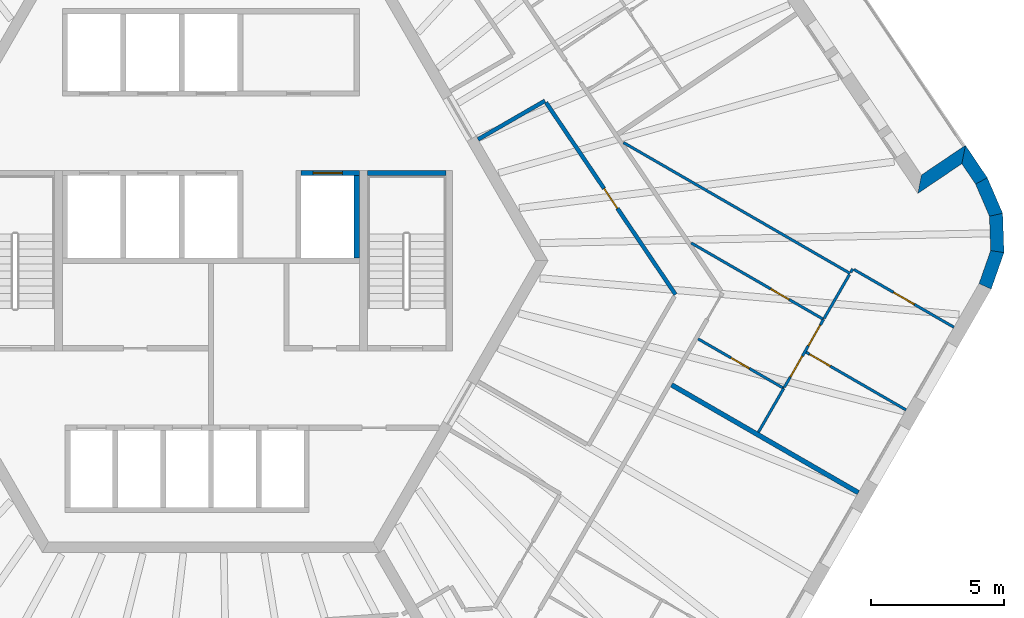
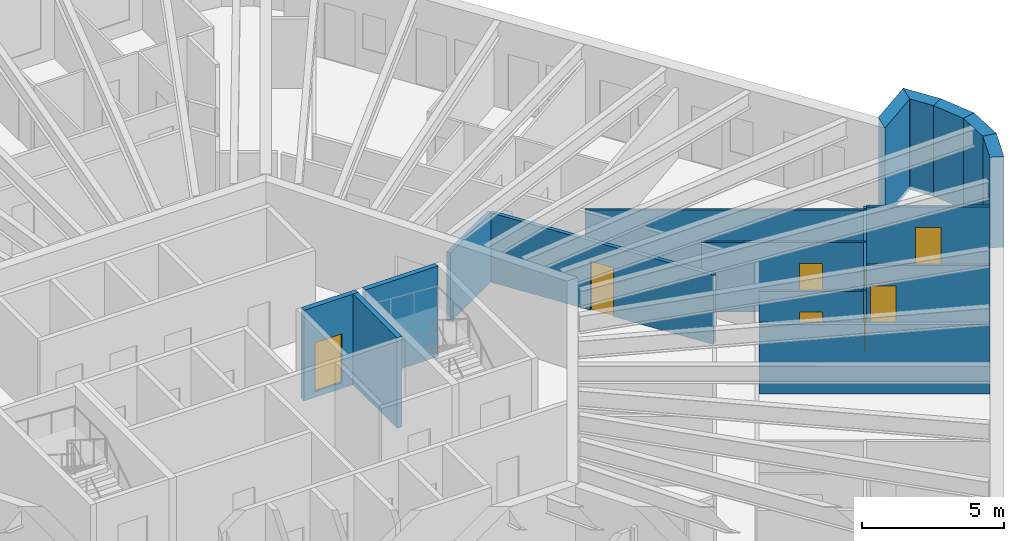
# One storey, part 7 of 12: 20 walls, 8 doors, 8 openings.
"""IFC4 building model written with IfcOpenShell, lengths in metres."""

import ifcopenshell
import ifcopenshell.guid

model = None  # the IFC model being written
_history = None  # IfcOwnerHistory: only IFC2X3 demands one
_inside = {}  # id of a spatial element -> (the spatial element, [elements in it])
_under = {}  # id of a project, library or spatial element -> (it, [spatial elements below it])
_declared = {}  # id of a project -> (the project, [libraries it declares])
_typed = {}  # id of a type object -> (the type object, [elements of that type])
_made_of = {}  # id of a material, layer set ... -> (it, [elements and type objects made of it])


def new_model(schema):
    """Start an empty IFC model of exactly this schema.

    Asked for "IFC4X3", IfcOpenShell would pick the latest addendum, in which some entities
    have other attributes; the version numbers below select the first issue.
    IFC2X3 requires an IfcOwnerHistory on every rooted entity: one is made here for all.
    """
    global model, _history
    if schema == "IFC4X3":
        model = ifcopenshell.file(schema_version=(4, 3, 0, 0))
    else:
        model = ifcopenshell.file(schema=schema)
    _inside.clear()
    _under.clear()
    _declared.clear()
    _typed.clear()
    _made_of.clear()
    _history = None
    if model.schema == "IFC2X3":
        org = make("IfcOrganization", Name="unknown")
        user = make(
            "IfcPersonAndOrganization",
            ThePerson=make("IfcPerson", FamilyName="unknown"),
            TheOrganization=org,
        )
        app = make(
            "IfcApplication",
            ApplicationDeveloper=org,
            Version="unknown",
            ApplicationFullName="unknown",
            ApplicationIdentifier="unknown",
        )
        _history = make(
            "IfcOwnerHistory",
            OwningUser=user,
            OwningApplication=app,
            ChangeAction="ADDED",
            CreationDate=0,
        )
    return model


def make(cls, **values):
    """One entity of the class cls with the attributes given. An attribute that is None is left unset."""
    return model.create_entity(
        cls, **{name: value for name, value in values.items() if value is not None}
    )


def rooted(cls, **values):
    """An entity with a GlobalId (a new one), such as an element, a storey or a relation."""
    return make(cls, GlobalId=ifcopenshell.guid.new(), OwnerHistory=_history, **values)


def si_unit(unit_type, name, prefix=None):
    """IfcSIUnit, for example si_unit("LENGTHUNIT", "METRE", prefix="MILLI")."""
    return make("IfcSIUnit", UnitType=unit_type, Prefix=prefix, Name=name)


def assignment(units):
    """IfcUnitAssignment: the units of a project."""
    return None if units is None else make("IfcUnitAssignment", Units=units)


def point(xyz):
    """IfcCartesianPoint."""
    return None if xyz is None else make("IfcCartesianPoint", Coordinates=xyz)


def direction(xyz):
    """IfcDirection."""
    return None if xyz is None else make("IfcDirection", DirectionRatios=xyz)


def frame(location, z_axis=None, x_axis=None):
    """IfcAxis2Placement3D, a coordinate frame: its origin and axes. An axis left out is left unset."""
    return make(
        "IfcAxis2Placement3D",
        Location=point(location),
        Axis=direction(z_axis),
        RefDirection=direction(x_axis),
    )


def frame_2d(location, x_axis=None):
    """IfcAxis2Placement2D, a coordinate frame in the plane: its origin and x axis."""
    return make(
        "IfcAxis2Placement2D", Location=point(location), RefDirection=direction(x_axis)
    )


def origin():
    """The frame at (0, 0, 0) with its axes left unset."""
    return frame((0.0, 0.0, 0.0))


def place(relative_to, where):
    """IfcLocalPlacement: puts the frame where relative to a parent placement (None: the world)."""
    return make(
        "IfcLocalPlacement", PlacementRelTo=relative_to, RelativePlacement=where
    )


def context(
    kind, dimensions, precision=None, world=None, true_north=None, identifier=None
):
    """IfcGeometricRepresentationContext, for example the 3D "Model" context."""
    return make(
        "IfcGeometricRepresentationContext",
        ContextIdentifier=identifier,
        ContextType=kind,
        CoordinateSpaceDimension=dimensions,
        Precision=precision,
        WorldCoordinateSystem=world,
        TrueNorth=true_north,
    )


def subcontext(parent, identifier, kind, view, scale=None):
    """IfcGeometricRepresentationSubContext, for example "Body" below "Model"."""
    return make(
        "IfcGeometricRepresentationSubContext",
        ContextIdentifier=identifier,
        ContextType=kind,
        ParentContext=parent,
        TargetScale=scale,
        TargetView=view,
    )


def project(units=None, contexts=None):
    """IfcProject with its units and contexts."""
    return rooted(
        "IfcProject",
        Name="project",
        RepresentationContexts=contexts,
        UnitsInContext=assignment(units),
    )


def spatial(cls, under=None, at=None, **own):
    """A site, building, storey or space (cls), placed at a placement, below another one or the project."""
    s = rooted(cls, ObjectPlacement=at, **own)
    if under is not None:
        _under.setdefault(under.id(), (under, []))[1].append(s)
    return s


def polyline(points):
    """IfcPolyline through the points."""
    return make("IfcPolyline", Points=[point(p) for p in points])


def profile(cls, at=None, kind="AREA", **sizes):
    """A parametric profile (cls). Its sizes go by their IFC names, for example OverallWidth=200.0."""
    return make(cls, ProfileType=kind, Position=at, **sizes)


def rectangle(**sizes):
    """IfcRectangleProfileDef."""
    return profile("IfcRectangleProfileDef", **sizes)


def outline(outer, holes=None, kind="AREA"):
    """IfcArbitraryClosedProfileDef: a profile drawn as a closed curve; with holes, ...WithVoids."""
    if holes is None:
        return make("IfcArbitraryClosedProfileDef", ProfileType=kind, OuterCurve=outer)
    return make(
        "IfcArbitraryProfileDefWithVoids",
        ProfileType=kind,
        OuterCurve=outer,
        InnerCurves=holes,
    )


def extrude(swept, where, along, depth):
    """IfcExtrudedAreaSolid: the profile swept, set in the frame where, extruded along a direction by depth."""
    return make(
        "IfcExtrudedAreaSolid",
        SweptArea=swept,
        Position=where,
        ExtrudedDirection=direction(along),
        Depth=depth,
    )


def shape(context_of_items, identifier, shape_type, items):
    """IfcShapeRepresentation: the items that make up one representation, for example the "Body"."""
    return make(
        "IfcShapeRepresentation",
        ContextOfItems=context_of_items,
        RepresentationIdentifier=identifier,
        RepresentationType=shape_type,
        Items=items,
    )


def material(Name=None, Category=None):
    """IfcMaterial."""
    return make("IfcMaterial", Name=Name, Category=Category)


def layer(
    of_material, thickness, ventilated=None, Name=None, Category=None, Priority=None
):
    """IfcMaterialLayer: one layer of a wall or slab, of a material (None: an air gap)."""
    return make(
        "IfcMaterialLayer",
        Material=of_material,
        LayerThickness=thickness,
        IsVentilated=ventilated,
        Name=Name,
        Category=Category,
        Priority=Priority,
    )


def layer_set(layers, Name=None):
    """IfcMaterialLayerSet."""
    return make("IfcMaterialLayerSet", MaterialLayers=layers, LayerSetName=Name)


def made_of(thing, what):
    """Note that an element or type object is made of a material, layer set ...; save() writes the relation."""
    if what is not None:
        _made_of.setdefault(what.id(), (what, []))[1].append(thing)
    return thing


def type_object(cls, material=None, **own):
    """A type object (cls), such as IfcWallType, which elements share."""
    return made_of(rooted(cls, **own), material)


def element(
    cls,
    number,
    at=None,
    inside=None,
    cuts=None,
    type_object=None,
    material=None,
    context=None,
    identifier="Body",
    shape_type=None,
    held_by="IfcProductDefinitionShape",
    body=None,
    shapes=None,
    **own,
):
    """One element of the class cls, such as IfcWall. Its Tag is "e" and its number.

    at: its placement. inside: the storey or other place that contains it. cuts: it is an
    opening in that element (IfcRelVoidsElement). A single representation is given by context,
    identifier, shape_type and body (its items); several are given by shapes. held_by: the class
    of the entity that holds the representations. save() writes the other relations.
    """
    e = rooted(cls, Tag="e%d" % number, ObjectPlacement=at, **own)
    if body is not None:
        shapes = [shape(context, identifier, shape_type, body)]
    if shapes is not None:
        e.Representation = make(held_by, Representations=shapes)
    if inside is not None:
        _inside.setdefault(inside.id(), (inside, []))[1].append(e)
    if cuts is not None:
        rooted(
            "IfcRelVoidsElement", RelatingBuildingElement=cuts, RelatedOpeningElement=e
        )
    if type_object is not None:
        _typed.setdefault(type_object.id(), (type_object, []))[1].append(e)
    return made_of(e, material)


def fill(opening, filler):
    """IfcRelFillsElement: the door or window that sits in an opening."""
    return rooted(
        "IfcRelFillsElement",
        RelatingOpeningElement=opening,
        RelatedBuildingElement=filler,
    )


def aggregate(whole, parts):
    """IfcRelAggregates: a whole, such as a stair, and the parts it consists of."""
    return rooted("IfcRelAggregates", RelatingObject=whole, RelatedObjects=parts)


def save(model, path):
    """Write the relations noted so far, then the file.

    IfcRelAggregates (storeys below a building ...), IfcRelContainedInSpatialStructure (elements
    in a storey), IfcRelDefinesByType, IfcRelAssociatesMaterial and IfcRelDeclares: one each for
    every whole, place, type object, material and project.
    """
    for whole, parts in _under.values():
        aggregate(whole, parts)
    for where, things in _inside.values():
        rooted(
            "IfcRelContainedInSpatialStructure",
            RelatedElements=things,
            RelatingStructure=where,
        )
    for kind, things in _typed.values():
        rooted("IfcRelDefinesByType", RelatedObjects=things, RelatingType=kind)
    for what, things in _made_of.values():
        rooted("IfcRelAssociatesMaterial", RelatedObjects=things, RelatingMaterial=what)
    for by, libraries in _declared.values():
        rooted("IfcRelDeclares", RelatingContext=by, RelatedDefinitions=libraries)
    model.write(path)


model = new_model("IFC4")

# Units and contexts
model_context = context("Model", 3, precision=1e-05, world=origin(), true_north=direction((0.0, 1.0)))
body_context = subcontext(model_context, "Body", "Model", "MODEL_VIEW")
ifc_project = project(units=[si_unit("LENGTHUNIT", "METRE"), si_unit("AREAUNIT", "SQUARE_METRE"), si_unit("VOLUMEUNIT", "CUBIC_METRE"), si_unit("PLANEANGLEUNIT", "RADIAN"), si_unit("MASSUNIT", "GRAM", prefix="KILO")], contexts=[model_context])

# Site, building, storey
site_placement = place(None, origin())
site = spatial("IfcSite", under=ifc_project, at=site_placement, CompositionType="ELEMENT")
building_placement = place(site_placement, origin())
building = spatial("IfcBuilding", under=site, at=building_placement, Name="Tarnside Tower", CompositionType="ELEMENT")
storey_placement = place(building_placement, frame((0.0, 0.0, 283.5)))
storey = spatial("IfcBuildingStorey", under=building, at=storey_placement, Name="L68", CompositionType="ELEMENT", Elevation=283.5)

# Wall
ifc_material_1 = material(Name="Gypsum board partition on steel studs", Category="steel")
ifc_layer_1 = layer(ifc_material_1, 0.10009765625)
ifc_layer_set_1 = layer_set([ifc_layer_1], Name="Bathroom wall 100")
wall_type_1 = type_object("IfcWallType", Name="Bathroom wall 100", PredefinedType="PARTITIONING", material=ifc_layer_set_1)
wall_1_placement = place(storey_placement, frame((15.54541015625, 4.447998046875, 0.0), z_axis=(0.0, 0.0, 1.0), x_axis=(0.866022320763, -0.500005339912, 0.0)))
element("IfcWall", 1, at=wall_1_placement, inside=storey, type_object=wall_type_1, Name="Bathroom wall 22157", PredefinedType="PARTITIONING", context=body_context, shape_type="SweptSolid", body=[
    extrude(rectangle(XDim=9.861328125, YDim=0.10009765625, at=frame_2d((4.9306640625, 0.0))), origin(), (0.0, 0.0, 1.0), 2.98779296875),
])

# Wall, opening, door
wall_2_placement = place(storey_placement, frame((18.359619140625, -2.9501953125, 0.0), z_axis=(0.0, 0.0, 1.0), x_axis=(0.866012039196, -0.500023147432, 0.0)))
wall_2 = element("IfcWall", 2, at=wall_2_placement, inside=storey, type_object=wall_type_1, Name="Bathroom wall 22160", PredefinedType="PARTITIONING", context=body_context, shape_type="SweptSolid", body=[
    extrude(rectangle(XDim=3.724853515625, YDim=0.10009765625, at=frame_2d((1.8623046875, 0.0))), origin(), (0.0, 0.0, 1.0), 2.98779296875),
])
opening_1_placement = place(wall_2_placement, frame((1.425048828125, 0.0, 0.0)))
opening_1 = element("IfcOpeningElement", 3, at=opening_1_placement, cuts=wall_2, Name="Opening D-B1", PredefinedType="OPENING", context=body_context, shape_type="SweptSolid", body=[
    extrude(rectangle(XDim=0.800048828125, YDim=2.10009765625, at=frame_2d((0.39990234375, 1.050048828125))), frame((0.0, 0.06005859375, 0.0), z_axis=(0.0, -1.0, 0.0), x_axis=(1.0, 0.0, 0.0)), (0.0, 0.0, 1.0), 0.1201171875),
])
ifc_material_2 = material(Name="Timber door leaf", Category="wood")
door_type_1 = type_object("IfcDoorType", Name="Bathroom door 800", OperationType="NOTDEFINED", PredefinedType="DOOR", material=ifc_material_2)
door_1_placement = place(opening_1_placement, origin())
door_1 = element("IfcDoor", 4, at=door_1_placement, inside=storey, type_object=door_type_1, Name="Bathroom door 22066", OperationType="SINGLE_SWING_RIGHT", OverallHeight=2.10009765625, OverallWidth=0.800048828125, PredefinedType="DOOR", context=body_context, shape_type="SweptSolid", body=[
    extrude(rectangle(XDim=0.800048828125, YDim=2.10009765625, at=frame_2d((0.39990234375, 1.050048828125))), frame((0.0, 0.02490234375, 0.0), z_axis=(0.0, -1.0, 0.0), x_axis=(1.0, 0.0, 0.0)), (0.0, 0.0, 1.0), 0.050048828125),
])
fill(opening_1, door_1)

wall_3_placement = place(storey_placement, frame((23.08544921875, -2.214599609375, 0.0), z_axis=(0.0, 0.0, 1.0), x_axis=(-0.866017611601, 0.500013496215, 0.0)))
wall_3 = element("IfcWall", 5, at=wall_3_placement, inside=storey, type_object=wall_type_1, Name="Bathroom wall 22163", PredefinedType="PARTITIONING", context=body_context, shape_type="SweptSolid", body=[
    extrude(rectangle(XDim=5.760498046875, YDim=0.10009765625, at=frame_2d((2.88037109375, 0.0))), origin(), (0.0, 0.0, 1.0), 2.98779296875),
])
opening_2_placement = place(wall_3_placement, frame((1.5, 0.0, 0.0)))
opening_2 = element("IfcOpeningElement", 6, at=opening_2_placement, cuts=wall_3, Name="Opening D-B1", PredefinedType="OPENING", context=body_context, shape_type="SweptSolid", body=[
    extrude(rectangle(XDim=0.800048828125, YDim=2.10009765625, at=frame_2d((0.39990234375, 1.050048828125))), frame((0.0, 0.06005859375, 0.0), z_axis=(0.0, -1.0, 0.0), x_axis=(1.0, 0.0, 0.0)), (0.0, 0.0, 1.0), 0.1201171875),
])
door_2_placement = place(opening_2_placement, origin())
door_2 = element("IfcDoor", 7, at=door_2_placement, inside=storey, type_object=door_type_1, Name="Bathroom door 22073", OperationType="SINGLE_SWING_RIGHT", OverallHeight=2.10009765625, OverallWidth=0.800048828125, PredefinedType="DOOR", context=body_context, shape_type="SweptSolid", body=[
    extrude(rectangle(XDim=0.800048828125, YDim=2.10009765625, at=frame_2d((0.39990234375, 1.050048828125))), frame((0.0, 0.02490234375, 0.0), z_axis=(0.0, -1.0, 0.0), x_axis=(1.0, 0.0, 0.0)), (0.0, 0.0, 1.0), 0.050048828125),
])
fill(opening_2, door_2)

# Walls
wall_4_placement = place(storey_placement, frame((20.630615234375, -6.466796875, 0.0), z_axis=(0.0, 0.0, 1.0), x_axis=(0.49994353734, 0.866058000062, 0.0)))
element("IfcWall", 8, at=wall_4_placement, inside=storey, type_object=wall_type_1, Name="Bathroom wall 22164", PredefinedType="PARTITIONING", context=body_context, shape_type="SweptSolid", body=[
    extrude(rectangle(XDim=1.911865234375, YDim=0.10009765625, at=frame_2d((0.9560546875, 0.0))), origin(), (0.0, 0.0, 1.0), 2.98779296875),
])
wall_5_placement = place(storey_placement, frame((24.060546875, -0.52587890625, 0.0), z_axis=(0.0, 0.0, 1.0), x_axis=(-0.499967155389, -0.866044365799, 0.0)))
element("IfcWall", 9, at=wall_5_placement, inside=storey, type_object=wall_type_1, Name="Bathroom wall 22166", PredefinedType="PARTITIONING", context=body_context, shape_type="SweptSolid", body=[
    extrude(rectangle(XDim=1.900146484375, YDim=0.10009765625, at=frame_2d((0.9501953125, 0.0))), origin(), (0.0, 0.0, 1.0), 2.98779296875),
])
ifc_layer_2 = layer(ifc_material_1, 0.14990234375)
ifc_layer_set_2 = layer_set([ifc_layer_2], Name="Corridor wall 150 EI 60")
wall_type_2 = type_object("IfcWallType", Name="Corridor wall 150 EI 60", PredefinedType="PARTITIONING", material=ifc_layer_set_2)
wall_6_placement = place(storey_placement, frame((10.065673828125, 4.565673828125, 0.0), z_axis=(0.0, 0.0, 1.0), x_axis=(0.866034661658, 0.49998396455, 0.0)))
element("IfcWall", 10, at=wall_6_placement, inside=storey, type_object=wall_type_2, Name="Corridor wall 22072", PredefinedType="PARTITIONING", context=body_context, shape_type="SweptSolid", body=[
    extrude(rectangle(XDim=2.9091796875, YDim=0.14990234375, at=frame_2d((1.45458984375, 0.0))), origin(), (0.0, 0.0, 1.0), 2.98779296875),
])

# Wall, opening, door
wall_7_placement = place(storey_placement, frame((12.627197265625, 5.9580078125, 0.0), z_axis=(0.0, 0.0, 1.0), x_axis=(0.559185493191, -0.829042570804, 0.0)))
wall_7 = element("IfcWall", 11, at=wall_7_placement, inside=storey, type_object=wall_type_2, Name="Corridor wall 22073", PredefinedType="PARTITIONING", context=body_context, shape_type="SweptSolid", body=[
    extrude(rectangle(XDim=8.726806640625, YDim=0.14990234375, at=frame_2d((4.36328125, 0.0))), origin(), (0.0, 0.0, 1.0), 2.98779296875),
])
opening_3_placement = place(wall_7_placement, frame((3.913330078125, 0.0, 0.0)))
opening_3 = element("IfcOpeningElement", 12, at=opening_3_placement, cuts=wall_7, Name="Opening D-S1", PredefinedType="OPENING", context=body_context, shape_type="SweptSolid", body=[
    extrude(rectangle(XDim=0.89990234375, YDim=2.10009765625, at=frame_2d((0.449951171875, 1.050048828125))), frame((0.0, 0.0849609375, 0.0), z_axis=(0.0, -1.0, 0.0), x_axis=(1.0, 0.0, 0.0)), (0.0, 0.0, 1.0), 0.169921875),
])
door_type_2 = type_object("IfcDoorType", Name="Service room door 900 FD30S", OperationType="NOTDEFINED", PredefinedType="DOOR", material=ifc_material_2)
door_3_placement = place(opening_3_placement, origin())
door_3 = element("IfcDoor", 13, at=door_3_placement, inside=storey, type_object=door_type_2, Name="Service door 22090", OperationType="SINGLE_SWING_RIGHT", OverallHeight=2.10009765625, OverallWidth=0.89990234375, PredefinedType="DOOR", context=body_context, shape_type="SweptSolid", body=[
    extrude(rectangle(XDim=0.89990234375, YDim=2.10009765625, at=frame_2d((0.449951171875, 1.050048828125))), frame((0.0, 0.02490234375, 0.0), z_axis=(0.0, -1.0, 0.0), x_axis=(1.0, 0.0, 0.0)), (0.0, 0.0, 1.0), 0.050048828125),
])
fill(opening_3, door_3)

# Wall
ifc_layer_3 = layer(ifc_material_1, 0.179931640625)
ifc_layer_set_3 = layer_set([ifc_layer_3], Name="Demising wall 180 EI 60")
wall_type_3 = type_object("IfcWallType", Name="Demising wall 180 EI 60", PredefinedType="PARTITIONING", material=ifc_layer_set_3)
wall_8_placement = place(storey_placement, frame((24.39599609375, -8.744873046875, 0.0), z_axis=(0.0, 0.0, 1.0), x_axis=(-0.866022959057, 0.500004234368, 0.0)))
element("IfcWall", 14, at=wall_8_placement, inside=storey, type_object=wall_type_3, Name="Demising wall 22148", PredefinedType="PARTITIONING", context=body_context, shape_type="SweptSolid", body=[
    extrude(rectangle(XDim=8.125, YDim=0.179931640625, at=frame_2d((4.0625, 0.0))), origin(), (0.0, 0.0, 1.0), 2.98779296875),
])

# Wall, opening, door
ifc_material_3 = material(Name="Concrete C40/50", Category="concrete")
ifc_layer_4 = layer(ifc_material_3, 0.199951171875)
ifc_layer_set_4 = layer_set([ifc_layer_4], Name="Lift shaft wall 200 C40/50")
wall_type_4 = type_object("IfcWallType", Name="Lift shaft wall 200 C40/50", PredefinedType="SHEAR", material=ifc_layer_set_4)
wall_9_placement = place(storey_placement, frame((3.39990234375, 3.300048828125, -0.25), z_axis=(0.0, 0.0, 1.0), x_axis=(1.0, 0.0, 0.0)))
wall_9 = element("IfcWall", 15, at=wall_9_placement, inside=storey, type_object=wall_type_4, Name="L68 lift shaft front wall R2 2", PredefinedType="SHEAR", context=body_context, shape_type="SweptSolid", body=[
    extrude(rectangle(XDim=2.2001953125, YDim=0.199951171875, at=frame_2d((1.10009765625, 0.0))), origin(), (0.0, 0.0, 1.0), 3.89990234375),
])
opening_4_placement = place(wall_9_placement, frame((0.449951171875, 0.0, 0.25)))
opening_4 = element("IfcOpeningElement", 16, at=opening_4_placement, cuts=wall_9, Name="Opening LD", PredefinedType="OPENING", context=body_context, shape_type="SweptSolid", body=[
    extrude(rectangle(XDim=1.10009765625, YDim=2.10009765625, at=frame_2d((0.550048828125, 1.050048828125))), frame((0.0, 0.10986328125, 0.0), z_axis=(0.0, -1.0, 0.0), x_axis=(1.0, 0.0, 0.0)), (0.0, 0.0, 1.0), 0.219970703125),
])
ifc_material_4 = material(Name="Stainless steel", Category="steel")
door_type_3 = type_object("IfcDoorType", Name="Lift landing door 1100x2100", OperationType="NOTDEFINED", PredefinedType="DOOR", material=ifc_material_4)
door_4_placement = place(opening_4_placement, origin())
door_4 = element("IfcDoor", 17, at=door_4_placement, inside=storey, type_object=door_type_3, Name="Express sky-lobby shuttle 2 landing door L68", OperationType="SLIDING_TO_LEFT", OverallHeight=2.10009765625, OverallWidth=1.10009765625, PredefinedType="DOOR", context=body_context, shape_type="SweptSolid", body=[
    extrude(rectangle(XDim=1.10009765625, YDim=2.10009765625, at=frame_2d((0.550048828125, 1.050048828125))), frame((0.0, 0.02490234375, 0.0), z_axis=(0.0, -1.0, 0.0), x_axis=(1.0, 0.0, 0.0)), (0.0, 0.0, 1.0), 0.050048828125),
])
fill(opening_4, door_4)

# Walls
wall_10_placement = place(storey_placement, frame((5.5, 0.10009765625, -0.25), z_axis=(0.0, 0.0, 1.0), x_axis=(0.0, 1.0, 0.0)))
element("IfcWall", 18, at=wall_10_placement, inside=storey, type_object=wall_type_4, Name="L68 lift shaft partition R26", PredefinedType="SHEAR", context=body_context, shape_type="SweptSolid", body=[
    extrude(rectangle(XDim=3.099853515625, YDim=0.199951171875, at=frame_2d((1.5498046875, 0.0))), origin(), (0.0, 0.0, 1.0), 3.89990234375),
])
wall_11_placement = place(storey_placement, frame((5.89990234375, 3.300048828125, -0.25), z_axis=(0.0, 0.0, 1.0), x_axis=(1.0, 0.0, 0.0)))
element("IfcWall", 19, at=wall_11_placement, inside=storey, type_object=wall_type_4, Name="L68 stair 1 enclosure cap wall n", PredefinedType="SHEAR", context=body_context, shape_type="SweptSolid", body=[
    extrude(rectangle(XDim=2.9501953125, YDim=0.199951171875, at=frame_2d((1.47509765625, 0.0))), origin(), (0.0, 0.0, 1.0), 3.89990234375),
])
ifc_material_5 = material(Name="Dark zinc cladding")
ifc_layer_5 = layer(ifc_material_5, 0.10205078125)
ifc_material_6 = material(Name="Concrete C60/75 precast", Category="concrete")
ifc_layer_6 = layer(ifc_material_6, 0.298095703125)
ifc_material_7 = material(Name="Mineral wool insulation")
ifc_layer_7 = layer(ifc_material_7, 0.10009765625)
ifc_layer_set_5 = layer_set([ifc_layer_5, ifc_layer_6, ifc_layer_7], Name="Loggia wall 500 zinc faced")
wall_type_5 = type_object("IfcWallType", Name="Loggia wall 500 zinc faced", PredefinedType="SOLIDWALL", material=ifc_layer_set_5)
wall_12_placement = place(storey_placement, frame((29.034912109375, 3.00244140625, -0.14990234375), z_axis=(0.0, 0.0, 1.0), x_axis=(-0.559200218553, 0.829032638423, 0.0)))
element("IfcWall", 20, at=wall_12_placement, inside=storey, type_object=wall_type_5, Name="Tube wall L68 F6 stub 28", PredefinedType="SOLIDWALL", context=body_context, shape_type="SweptSolid", body=[
    extrude(outline(polyline([(-0.0234375, -0.25), (1.44970703125, -0.25), (0.94970703125, 0.25), (0.0234375, 0.25), (-0.0234375, -0.25)])), origin(), (0.0, 0.0, 1.0), 3.89990234375),
])
wall_13_placement = place(storey_placement, frame((28.364013671875, 3.9970703125, -0.14990234375), z_axis=(0.0, 0.0, 1.0), x_axis=(-0.829108975345, -0.5590870299, 0.0)))
element("IfcWall", 21, at=wall_13_placement, inside=storey, type_object=wall_type_5, Name="Tube wall L68 F6 return 29", PredefinedType="SOLIDWALL", context=body_context, shape_type="SweptSolid", body=[
    extrude(outline(polyline([(-0.25, -0.25), (1.75, -0.25), (2.25, 0.25), (0.25, 0.25), (-0.25, -0.25)])), origin(), (0.0, 0.0, 1.0), 3.89990234375),
])
ifc_layer_8 = layer(ifc_material_1, 0.10009765625)
ifc_layer_set_6 = layer_set([ifc_layer_8], Name="Partition 100")
wall_type_6 = type_object("IfcWallType", Name="Partition 100", PredefinedType="PARTITIONING", material=ifc_layer_set_6)
wall_14_placement = place(storey_placement, frame((24.109619140625, -0.441162109375, 0.0), z_axis=(0.0, 0.0, 1.0), x_axis=(0.499074005857, 0.866559367082, 0.0)))
element("IfcWall", 22, at=wall_14_placement, inside=storey, type_object=wall_type_6, Name="Partition wall 22155", PredefinedType="PARTITIONING", context=body_context, shape_type="SweptSolid", body=[
    extrude(rectangle(XDim=0.152099609375, YDim=0.10009765625, at=frame_2d((0.076171875, 0.0))), origin(), (0.0, 0.0, 1.0), 2.98779296875),
])

# Wall, opening, door
wall_15_placement = place(storey_placement, frame((24.228759765625, -0.33447265625, 0.0), z_axis=(0.0, 0.0, 1.0), x_axis=(0.866027639635, -0.499996127374, 0.0)))
wall_15 = element("IfcWall", 23, at=wall_15_placement, inside=storey, type_object=wall_type_6, Name="Partition wall 22156", PredefinedType="PARTITIONING", context=body_context, shape_type="SweptSolid", body=[
    extrude(rectangle(XDim=4.35009765625, YDim=0.10009765625, at=frame_2d((2.175048828125, 0.0))), origin(), (0.0, 0.0, 1.0), 2.98779296875),
])
opening_5_placement = place(wall_15_placement, frame((1.72509765625, 0.0, 0.0)))
opening_5 = element("IfcOpeningElement", 24, at=opening_5_placement, cuts=wall_15, Name="Opening D-I1", PredefinedType="OPENING", context=body_context, shape_type="SweptSolid", body=[
    extrude(rectangle(XDim=0.89990234375, YDim=2.10009765625, at=frame_2d((0.449951171875, 1.050048828125))), frame((0.0, 0.06005859375, 0.0), z_axis=(0.0, -1.0, 0.0), x_axis=(1.0, 0.0, 0.0)), (0.0, 0.0, 1.0), 0.1201171875),
])
door_type_4 = type_object("IfcDoorType", Name="Internal door 900", OperationType="NOTDEFINED", PredefinedType="DOOR", material=ifc_material_2)
door_5_placement = place(opening_5_placement, origin())
door_5 = element("IfcDoor", 25, at=door_5_placement, inside=storey, type_object=door_type_4, Name="Internal door 22085", OperationType="SINGLE_SWING_RIGHT", OverallHeight=2.10009765625, OverallWidth=0.89990234375, PredefinedType="DOOR", context=body_context, shape_type="SweptSolid", body=[
    extrude(rectangle(XDim=0.89990234375, YDim=2.10009765625, at=frame_2d((0.449951171875, 1.050048828125))), frame((0.0, 0.02490234375, 0.0), z_axis=(0.0, -1.0, 0.0), x_axis=(1.0, 0.0, 0.0)), (0.0, 0.0, 1.0), 0.050048828125),
])
fill(opening_5, door_5)

# Wall, openings, doors
wall_16_placement = place(storey_placement, frame((21.609619140625, -4.771240234375, 0.0), z_axis=(0.0, 0.0, 1.0), x_axis=(0.499934698534, 0.866063102321, 0.0)))
wall_16 = element("IfcWall", 26, at=wall_16_placement, inside=storey, type_object=wall_type_6, Name="Partition wall 22161", PredefinedType="PARTITIONING", context=body_context, shape_type="SweptSolid", body=[
    extrude(rectangle(XDim=2.9541015625, YDim=0.10009765625, at=frame_2d((1.47705078125, 0.0))), origin(), (0.0, 0.0, 1.0), 2.98779296875),
])
opening_6_placement = place(wall_16_placement, frame((0.451904296875, 0.0, 0.0)))
opening_6 = element("IfcOpeningElement", 27, at=opening_6_placement, cuts=wall_16, Name="Opening D-I1", PredefinedType="OPENING", context=body_context, shape_type="SweptSolid", body=[
    extrude(rectangle(XDim=0.89990234375, YDim=2.10009765625, at=frame_2d((0.449951171875, 1.050048828125))), frame((0.0, 0.06005859375, 0.0), z_axis=(0.0, -1.0, 0.0), x_axis=(1.0, 0.0, 0.0)), (0.0, 0.0, 1.0), 0.1201171875),
])
opening_7_placement = place(wall_16_placement, frame((1.802001953125, 0.0, 0.0)))
opening_7 = element("IfcOpeningElement", 28, at=opening_7_placement, cuts=wall_16, Name="Opening D-I1", PredefinedType="OPENING", context=body_context, shape_type="SweptSolid", body=[
    extrude(rectangle(XDim=0.89990234375, YDim=2.10009765625, at=frame_2d((0.449951171875, 1.050048828125))), frame((0.0, 0.06005859375, 0.0), z_axis=(0.0, -1.0, 0.0), x_axis=(1.0, 0.0, 0.0)), (0.0, 0.0, 1.0), 0.1201171875),
])
door_6_placement = place(opening_6_placement, origin())
door_6 = element("IfcDoor", 29, at=door_6_placement, inside=storey, type_object=door_type_4, Name="Internal door 22068", OperationType="SINGLE_SWING_LEFT", OverallHeight=2.10009765625, OverallWidth=0.89990234375, PredefinedType="DOOR", context=body_context, shape_type="SweptSolid", body=[
    extrude(rectangle(XDim=0.89990234375, YDim=2.10009765625, at=frame_2d((0.449951171875, 1.050048828125))), frame((0.0, 0.02490234375, 0.0), z_axis=(0.0, -1.0, 0.0), x_axis=(1.0, 0.0, 0.0)), (0.0, 0.0, 1.0), 0.050048828125),
])
fill(opening_6, door_6)
door_7_placement = place(opening_7_placement, origin())
door_7 = element("IfcDoor", 30, at=door_7_placement, inside=storey, type_object=door_type_4, Name="Internal door 22072", OperationType="SINGLE_SWING_LEFT", OverallHeight=2.10009765625, OverallWidth=0.89990234375, PredefinedType="DOOR", context=body_context, shape_type="SweptSolid", body=[
    extrude(rectangle(XDim=0.89990234375, YDim=2.10009765625, at=frame_2d((0.449951171875, 1.050048828125))), frame((0.0, 0.02490234375, 0.0), z_axis=(0.0, -1.0, 0.0), x_axis=(1.0, 0.0, 0.0)), (0.0, 0.0, 1.0), 0.050048828125),
])
fill(opening_7, door_7)

# Wall, opening, door
wall_17_placement = place(storey_placement, frame((26.196044921875, -5.627197265625, 0.0), z_axis=(0.0, 0.0, 1.0), x_axis=(-0.866013608182, 0.500020430026, 0.0)))
wall_17 = element("IfcWall", 31, at=wall_17_placement, inside=storey, type_object=wall_type_6, Name="Partition wall 22165", PredefinedType="PARTITIONING", context=body_context, shape_type="SweptSolid", body=[
    extrude(rectangle(XDim=4.349853515625, YDim=0.10009765625, at=frame_2d((2.1748046875, 0.0))), origin(), (0.0, 0.0, 1.0), 2.98779296875),
])
opening_8_placement = place(wall_17_placement, frame((3.300048828125, 0.0, 0.0)))
opening_8 = element("IfcOpeningElement", 32, at=opening_8_placement, cuts=wall_17, Name="Opening D-I1", PredefinedType="OPENING", context=body_context, shape_type="SweptSolid", body=[
    extrude(rectangle(XDim=0.89990234375, YDim=2.10009765625, at=frame_2d((0.449951171875, 1.050048828125))), frame((0.0, 0.06005859375, 0.0), z_axis=(0.0, -1.0, 0.0), x_axis=(1.0, 0.0, 0.0)), (0.0, 0.0, 1.0), 0.1201171875),
])
door_8_placement = place(opening_8_placement, origin())
door_8 = element("IfcDoor", 33, at=door_8_placement, inside=storey, type_object=door_type_4, Name="Internal door 22071", OperationType="SINGLE_SWING_RIGHT", OverallHeight=2.10009765625, OverallWidth=0.89990234375, PredefinedType="DOOR", context=body_context, shape_type="SweptSolid", body=[
    extrude(rectangle(XDim=0.89990234375, YDim=2.10009765625, at=frame_2d((0.449951171875, 1.050048828125))), frame((0.0, 0.02490234375, 0.0), z_axis=(0.0, -1.0, 0.0), x_axis=(1.0, 0.0, 0.0)), (0.0, 0.0, 1.0), 0.050048828125),
])
fill(opening_8, door_8)

# Walls
ifc_material_8 = material(Name="Facing brick", Category="masonry")
ifc_layer_9 = layer(ifc_material_8, 0.10205078125)
ifc_layer_10 = layer(ifc_material_6, 0.298095703125)
ifc_layer_11 = layer(ifc_material_7, 0.10009765625)
ifc_layer_set_7 = layer_set([ifc_layer_9, ifc_layer_10, ifc_layer_11], Name="Tube wall 500 brick faced")
wall_type_7 = type_object("IfcWallType", Name="Tube wall 500 brick faced", PredefinedType="SOLIDWALL", material=ifc_layer_set_7)
wall_18_placement = place(storey_placement, frame((29.173828125, -0.9697265625, -0.14990234375), z_axis=(0.0, 0.0, 1.0), x_axis=(0.330961348063, 0.943644311215, 0.0)))
element("IfcWall", 34, at=wall_18_placement, inside=storey, type_object=wall_type_7, Name="Tube wall L68 F5 chord 25", PredefinedType="SOLIDWALL", context=body_context, shape_type="SweptSolid", body=[
    extrude(outline(polyline([(-0.0234375, -0.25), (1.435302734375, -0.25), (1.341064453125, 0.25), (0.0234375, 0.25), (-0.0234375, -0.25)])), origin(), (0.0, 0.0, 1.0), 3.89990234375),
])
wall_19_placement = place(storey_placement, frame((29.63330078125, 0.34033203125, -0.14990234375), z_axis=(0.0, 0.0, 1.0), x_axis=(-0.034825746769, 0.999393399699, 0.0)))
element("IfcWall", 35, at=wall_19_placement, inside=storey, type_object=wall_type_7, Name="Tube wall L68 F5 chord 26", PredefinedType="SOLIDWALL", context=body_context, shape_type="SweptSolid", body=[
    extrude(outline(polyline([(-0.047119140625, -0.25), (1.43505859375, -0.25), (1.3408203125, 0.25), (0.047119140625, 0.25), (-0.047119140625, -0.25)])), origin(), (0.0, 0.0, 1.0), 3.89990234375),
])
wall_20_placement = place(storey_placement, frame((29.5849609375, 1.7275390625, -0.14990234375), z_axis=(0.0, 0.0, 1.0), x_axis=(-0.396146339195, 0.918187387162, 0.0)))
element("IfcWall", 36, at=wall_20_placement, inside=storey, type_object=wall_type_7, Name="Tube wall L68 F5 chord 27", PredefinedType="SOLIDWALL", context=body_context, shape_type="SweptSolid", body=[
    extrude(outline(polyline([(-0.047119140625, -0.25), (1.411865234375, -0.25), (1.364990234375, 0.25), (0.047119140625, 0.25), (-0.047119140625, -0.25)])), origin(), (0.0, 0.0, 1.0), 3.89990234375),
])

save(model, "model.ifc")
